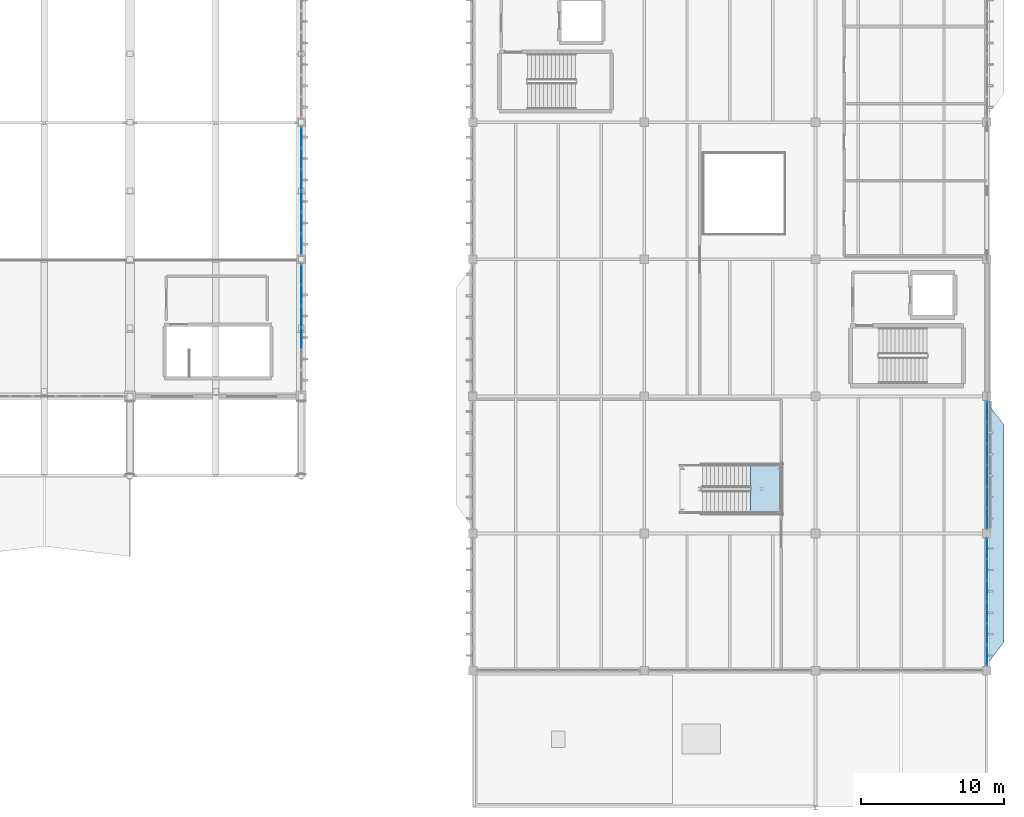
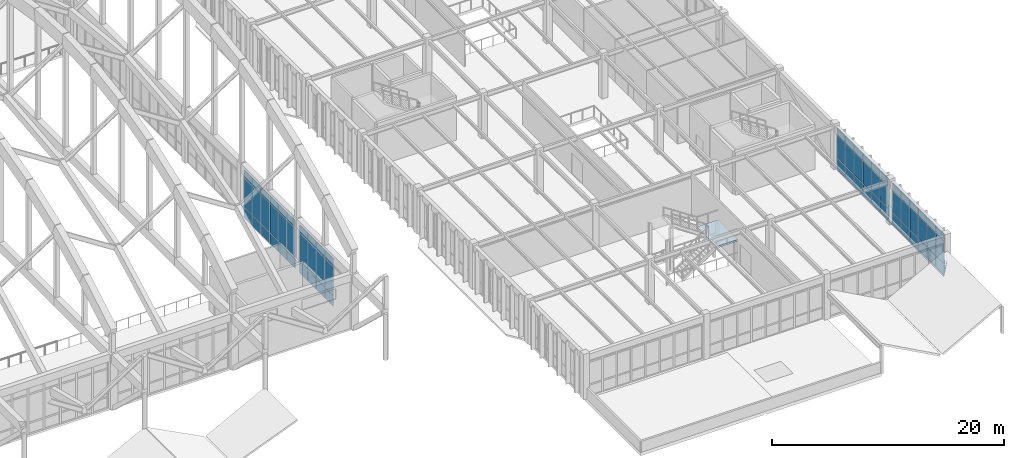
# One storey, part 201 of 236: 66 plates, 2 slabs, 5 elements without a shape of their own.
"""IFC4 building model written with IfcOpenShell, lengths in metres."""

from ifc_helpers import new_model, si_unit, direction, frame, origin, origin_2d, place, context, subcontext, project, spatial, polyline, rectangle, outline, extrude, material, layer, layer_set, type_object, element, aggregate, save


model = new_model("IFC4")

# Units and contexts
model_context = context("Model", 3, precision=1e-05, world=origin(), true_north=direction((0.0, 1.0)))
body_context = subcontext(model_context, "Body", "Model", "MODEL_VIEW")
ifc_project = project(units=[si_unit("LENGTHUNIT", "METRE"), si_unit("AREAUNIT", "SQUARE_METRE"), si_unit("VOLUMEUNIT", "CUBIC_METRE"), si_unit("PLANEANGLEUNIT", "RADIAN"), si_unit("MASSUNIT", "GRAM", prefix="KILO")], contexts=[model_context])

# Site, building, storey
site_placement = place(None, origin())
site = spatial("IfcSite", under=ifc_project, at=site_placement, CompositionType="ELEMENT")
building_placement = place(site_placement, origin())
building = spatial("IfcBuilding", under=site, at=building_placement, Name="Pandanus Reach Market Hall", CompositionType="ELEMENT")
storey_placement = place(building_placement, frame((0.0, 0.0, 5.39990234375)))
storey = spatial("IfcBuildingStorey", under=building, at=storey_placement, Name="L01", CompositionType="ELEMENT", Elevation=5.39990234375)

# Curtain wall, plates
ifc_material_1 = material(Name="Bronze anodised aluminium and low-E glass", Category="aluminium")
ifc_layer_1 = layer(ifc_material_1, 0.159912109375, Name="CW-28")
ifc_layer_set_1 = layer_set([ifc_layer_1], Name="Bronze anodised aluminium and low-E glass")
curtain_wall_type_1 = type_object("IfcCurtainWallType", Name="CW-28", PredefinedType="NOTDEFINED", material=ifc_layer_set_1)
curtain_wall_1_placement = place(storey_placement, origin())
curtain_wall_1 = element("IfcCurtainWall", 1, at=curtain_wall_1_placement, inside=storey, type_object=curtain_wall_type_1, Name="Glazed curtain wall CW-28 CW-0085", PredefinedType="NOTDEFINED")
ifc_material_2 = material(Name="Solar-control double glazing", Category="glass")
ifc_layer_2 = layer(ifc_material_2, 0.028076171875, Name="CW-P1")
ifc_layer_set_2 = layer_set([ifc_layer_2], Name="Solar-control double glazing")
plate_type_1 = type_object("IfcPlateType", Name="CW-P1", PredefinedType="CURTAIN_PANEL", material=ifc_layer_set_2)
plate_1_placement = place(storey_placement, frame((180.0, 10.666259765625, 0.065185546875), z_axis=(0.0, 0.0, 1.0), x_axis=(0.0, 1.0, 0.0)))
plate_1 = element("IfcPlate", 2, at=plate_1_placement, type_object=plate_type_1, Name="CW-28 panel 1.1", PredefinedType="CURTAIN_PANEL", context=body_context, shape_type="SweptSolid", body=[
    extrude(rectangle(XDim=1.402587890625, YDim=0.028076171875, at=origin_2d()), origin(), (0.0, 0.0, 1.0), 1.1025390625),
])
plate_2_placement = place(storey_placement, frame((180.0, 10.666259765625, 1.232666015625), z_axis=(0.0, 0.0, 1.0), x_axis=(0.0, 1.0, 0.0)))
plate_2 = element("IfcPlate", 3, at=plate_2_placement, type_object=plate_type_1, Name="CW-28 panel 1.2", PredefinedType="CURTAIN_PANEL", context=body_context, shape_type="SweptSolid", body=[
    extrude(rectangle(XDim=1.402587890625, YDim=0.028076171875, at=origin_2d()), origin(), (0.0, 0.0, 1.0), 2.3349609375),
])
plate_3_placement = place(storey_placement, frame((180.0, 10.666259765625, 3.6328125), z_axis=(0.0, 0.0, 1.0), x_axis=(0.0, 1.0, 0.0)))
plate_3 = element("IfcPlate", 4, at=plate_3_placement, type_object=plate_type_1, Name="CW-28 panel 1.3", PredefinedType="CURTAIN_PANEL", context=body_context, shape_type="SweptSolid", body=[
    extrude(rectangle(XDim=1.402587890625, YDim=0.028076171875, at=origin_2d()), origin(), (0.0, 0.0, 1.0), 0.802490234375),
])
plate_4_placement = place(storey_placement, frame((180.0, 12.14990234375, 0.065185546875), z_axis=(0.0, 0.0, 1.0), x_axis=(0.0, 1.0, 0.0)))
plate_4 = element("IfcPlate", 5, at=plate_4_placement, type_object=plate_type_1, Name="CW-28 panel 2.1", PredefinedType="CURTAIN_PANEL", context=body_context, shape_type="SweptSolid", body=[
    extrude(rectangle(XDim=1.43505859375, YDim=0.028076171875, at=origin_2d()), origin(), (0.0, 0.0, 1.0), 1.1025390625),
])
plate_5_placement = place(storey_placement, frame((180.0, 12.14990234375, 1.232666015625), z_axis=(0.0, 0.0, 1.0), x_axis=(0.0, 1.0, 0.0)))
plate_5 = element("IfcPlate", 6, at=plate_5_placement, type_object=plate_type_1, Name="CW-28 panel 2.2", PredefinedType="CURTAIN_PANEL", context=body_context, shape_type="SweptSolid", body=[
    extrude(rectangle(XDim=1.43505859375, YDim=0.028076171875, at=origin_2d()), origin(), (0.0, 0.0, 1.0), 2.3349609375),
])
plate_6_placement = place(storey_placement, frame((180.0, 12.14990234375, 3.6328125), z_axis=(0.0, 0.0, 1.0), x_axis=(0.0, 1.0, 0.0)))
plate_6 = element("IfcPlate", 7, at=plate_6_placement, type_object=plate_type_1, Name="CW-28 panel 2.3", PredefinedType="CURTAIN_PANEL", context=body_context, shape_type="SweptSolid", body=[
    extrude(rectangle(XDim=1.43505859375, YDim=0.028076171875, at=origin_2d()), origin(), (0.0, 0.0, 1.0), 0.802490234375),
])
plate_7_placement = place(storey_placement, frame((180.0, 13.64990234375, 0.065185546875), z_axis=(0.0, 0.0, 1.0), x_axis=(0.0, 1.0, 0.0)))
plate_7 = element("IfcPlate", 8, at=plate_7_placement, type_object=plate_type_1, Name="CW-28 panel 3.1", PredefinedType="CURTAIN_PANEL", context=body_context, shape_type="SweptSolid", body=[
    extrude(rectangle(XDim=1.43505859375, YDim=0.028076171875, at=origin_2d()), origin(), (0.0, 0.0, 1.0), 1.1025390625),
])
plate_8_placement = place(storey_placement, frame((180.0, 13.64990234375, 1.232666015625), z_axis=(0.0, 0.0, 1.0), x_axis=(0.0, 1.0, 0.0)))
plate_8 = element("IfcPlate", 9, at=plate_8_placement, type_object=plate_type_1, Name="CW-28 panel 3.2", PredefinedType="CURTAIN_PANEL", context=body_context, shape_type="SweptSolid", body=[
    extrude(rectangle(XDim=1.43505859375, YDim=0.028076171875, at=origin_2d()), origin(), (0.0, 0.0, 1.0), 2.3349609375),
])
plate_9_placement = place(storey_placement, frame((180.0, 13.64990234375, 3.6328125), z_axis=(0.0, 0.0, 1.0), x_axis=(0.0, 1.0, 0.0)))
plate_9 = element("IfcPlate", 10, at=plate_9_placement, type_object=plate_type_1, Name="CW-28 panel 3.3", PredefinedType="CURTAIN_PANEL", context=body_context, shape_type="SweptSolid", body=[
    extrude(rectangle(XDim=1.43505859375, YDim=0.028076171875, at=origin_2d()), origin(), (0.0, 0.0, 1.0), 0.802490234375),
])
plate_10_placement = place(storey_placement, frame((180.0, 15.14990234375, 0.065185546875), z_axis=(0.0, 0.0, 1.0), x_axis=(0.0, 1.0, 0.0)))
plate_10 = element("IfcPlate", 11, at=plate_10_placement, type_object=plate_type_1, Name="CW-28 panel 4.1", PredefinedType="CURTAIN_PANEL", context=body_context, shape_type="SweptSolid", body=[
    extrude(rectangle(XDim=1.43505859375, YDim=0.028076171875, at=origin_2d()), origin(), (0.0, 0.0, 1.0), 1.1025390625),
])
plate_11_placement = place(storey_placement, frame((180.0, 15.14990234375, 1.232666015625), z_axis=(0.0, 0.0, 1.0), x_axis=(0.0, 1.0, 0.0)))
plate_11 = element("IfcPlate", 12, at=plate_11_placement, type_object=plate_type_1, Name="CW-28 panel 4.2", PredefinedType="CURTAIN_PANEL", context=body_context, shape_type="SweptSolid", body=[
    extrude(rectangle(XDim=1.43505859375, YDim=0.028076171875, at=origin_2d()), origin(), (0.0, 0.0, 1.0), 2.3349609375),
])
plate_12_placement = place(storey_placement, frame((180.0, 15.14990234375, 3.6328125), z_axis=(0.0, 0.0, 1.0), x_axis=(0.0, 1.0, 0.0)))
plate_12 = element("IfcPlate", 13, at=plate_12_placement, type_object=plate_type_1, Name="CW-28 panel 4.3", PredefinedType="CURTAIN_PANEL", context=body_context, shape_type="SweptSolid", body=[
    extrude(rectangle(XDim=1.43505859375, YDim=0.028076171875, at=origin_2d()), origin(), (0.0, 0.0, 1.0), 0.802490234375),
])
plate_13_placement = place(storey_placement, frame((180.0, 16.64990234375, 0.065185546875), z_axis=(0.0, 0.0, 1.0), x_axis=(0.0, 1.0, 0.0)))
plate_13 = element("IfcPlate", 14, at=plate_13_placement, type_object=plate_type_1, Name="CW-28 panel 5.1", PredefinedType="CURTAIN_PANEL", context=body_context, shape_type="SweptSolid", body=[
    extrude(rectangle(XDim=1.43505859375, YDim=0.028076171875, at=origin_2d()), origin(), (0.0, 0.0, 1.0), 1.1025390625),
])
plate_14_placement = place(storey_placement, frame((180.0, 16.64990234375, 1.232666015625), z_axis=(0.0, 0.0, 1.0), x_axis=(0.0, 1.0, 0.0)))
plate_14 = element("IfcPlate", 15, at=plate_14_placement, type_object=plate_type_1, Name="CW-28 panel 5.2", PredefinedType="CURTAIN_PANEL", context=body_context, shape_type="SweptSolid", body=[
    extrude(rectangle(XDim=1.43505859375, YDim=0.028076171875, at=origin_2d()), origin(), (0.0, 0.0, 1.0), 2.3349609375),
])
plate_15_placement = place(storey_placement, frame((180.0, 16.64990234375, 3.6328125), z_axis=(0.0, 0.0, 1.0), x_axis=(0.0, 1.0, 0.0)))
plate_15 = element("IfcPlate", 16, at=plate_15_placement, type_object=plate_type_1, Name="CW-28 panel 5.3", PredefinedType="CURTAIN_PANEL", context=body_context, shape_type="SweptSolid", body=[
    extrude(rectangle(XDim=1.43505859375, YDim=0.028076171875, at=origin_2d()), origin(), (0.0, 0.0, 1.0), 0.802490234375),
])
plate_16_placement = place(storey_placement, frame((180.0, 18.1337890625, 0.065185546875), z_axis=(0.0, 0.0, 1.0), x_axis=(0.0, 1.0, 0.0)))
plate_16 = element("IfcPlate", 17, at=plate_16_placement, type_object=plate_type_1, Name="CW-28 panel 6.1", PredefinedType="CURTAIN_PANEL", context=body_context, shape_type="SweptSolid", body=[
    extrude(rectangle(XDim=1.402587890625, YDim=0.028076171875, at=origin_2d()), origin(), (0.0, 0.0, 1.0), 1.1025390625),
])
plate_17_placement = place(storey_placement, frame((180.0, 18.1337890625, 1.232666015625), z_axis=(0.0, 0.0, 1.0), x_axis=(0.0, 1.0, 0.0)))
plate_17 = element("IfcPlate", 18, at=plate_17_placement, type_object=plate_type_1, Name="CW-28 panel 6.2", PredefinedType="CURTAIN_PANEL", context=body_context, shape_type="SweptSolid", body=[
    extrude(rectangle(XDim=1.402587890625, YDim=0.028076171875, at=origin_2d()), origin(), (0.0, 0.0, 1.0), 2.3349609375),
])
plate_18_placement = place(storey_placement, frame((180.0, 18.1337890625, 3.6328125), z_axis=(0.0, 0.0, 1.0), x_axis=(0.0, 1.0, 0.0)))
plate_18 = element("IfcPlate", 19, at=plate_18_placement, type_object=plate_type_1, Name="CW-28 panel 6.3", PredefinedType="CURTAIN_PANEL", context=body_context, shape_type="SweptSolid", body=[
    extrude(rectangle(XDim=1.402587890625, YDim=0.028076171875, at=origin_2d()), origin(), (0.0, 0.0, 1.0), 0.802490234375),
])
aggregate(curtain_wall_1, [plate_1, plate_2, plate_3, plate_4, plate_5, plate_6, plate_7, plate_8, plate_9, plate_10, plate_11, plate_12, plate_13, plate_14, plate_15, plate_16, plate_17, plate_18])

curtain_wall_2_placement = place(storey_placement, origin())
curtain_wall_2 = element("IfcCurtainWall", 20, at=curtain_wall_2_placement, inside=storey, type_object=curtain_wall_type_1, Name="Glazed curtain wall CW-28 CW-0086", PredefinedType="NOTDEFINED")
plate_19_placement = place(storey_placement, frame((180.0, 20.266357421875, 0.065185546875), z_axis=(0.0, 0.0, 1.0), x_axis=(0.0, 1.0, 0.0)))
plate_19 = element("IfcPlate", 21, at=plate_19_placement, type_object=plate_type_1, Name="CW-28 panel 1.1", PredefinedType="CURTAIN_PANEL", context=body_context, shape_type="SweptSolid", body=[
    extrude(rectangle(XDim=1.402587890625, YDim=0.028076171875, at=origin_2d()), origin(), (0.0, 0.0, 1.0), 1.1025390625),
])
plate_20_placement = place(storey_placement, frame((180.0, 20.266357421875, 1.232666015625), z_axis=(0.0, 0.0, 1.0), x_axis=(0.0, 1.0, 0.0)))
plate_20 = element("IfcPlate", 22, at=plate_20_placement, type_object=plate_type_1, Name="CW-28 panel 1.2", PredefinedType="CURTAIN_PANEL", context=body_context, shape_type="SweptSolid", body=[
    extrude(rectangle(XDim=1.402587890625, YDim=0.028076171875, at=origin_2d()), origin(), (0.0, 0.0, 1.0), 2.3349609375),
])
plate_21_placement = place(storey_placement, frame((180.0, 20.266357421875, 3.6328125), z_axis=(0.0, 0.0, 1.0), x_axis=(0.0, 1.0, 0.0)))
plate_21 = element("IfcPlate", 23, at=plate_21_placement, type_object=plate_type_1, Name="CW-28 panel 1.3", PredefinedType="CURTAIN_PANEL", context=body_context, shape_type="SweptSolid", body=[
    extrude(rectangle(XDim=1.402587890625, YDim=0.028076171875, at=origin_2d()), origin(), (0.0, 0.0, 1.0), 0.802490234375),
])
plate_22_placement = place(storey_placement, frame((180.0, 21.75, 0.065185546875), z_axis=(0.0, 0.0, 1.0), x_axis=(0.0, 1.0, 0.0)))
plate_22 = element("IfcPlate", 24, at=plate_22_placement, type_object=plate_type_1, Name="CW-28 panel 2.1", PredefinedType="CURTAIN_PANEL", context=body_context, shape_type="SweptSolid", body=[
    extrude(rectangle(XDim=1.43505859375, YDim=0.028076171875, at=origin_2d()), origin(), (0.0, 0.0, 1.0), 1.1025390625),
])
plate_23_placement = place(storey_placement, frame((180.0, 21.75, 1.232666015625), z_axis=(0.0, 0.0, 1.0), x_axis=(0.0, 1.0, 0.0)))
plate_23 = element("IfcPlate", 25, at=plate_23_placement, type_object=plate_type_1, Name="CW-28 panel 2.2", PredefinedType="CURTAIN_PANEL", context=body_context, shape_type="SweptSolid", body=[
    extrude(rectangle(XDim=1.43505859375, YDim=0.028076171875, at=origin_2d()), origin(), (0.0, 0.0, 1.0), 2.3349609375),
])
plate_24_placement = place(storey_placement, frame((180.0, 21.75, 3.6328125), z_axis=(0.0, 0.0, 1.0), x_axis=(0.0, 1.0, 0.0)))
plate_24 = element("IfcPlate", 26, at=plate_24_placement, type_object=plate_type_1, Name="CW-28 panel 2.3", PredefinedType="CURTAIN_PANEL", context=body_context, shape_type="SweptSolid", body=[
    extrude(rectangle(XDim=1.43505859375, YDim=0.028076171875, at=origin_2d()), origin(), (0.0, 0.0, 1.0), 0.802490234375),
])
plate_25_placement = place(storey_placement, frame((180.0, 23.25, 0.065185546875), z_axis=(0.0, 0.0, 1.0), x_axis=(0.0, 1.0, 0.0)))
plate_25 = element("IfcPlate", 27, at=plate_25_placement, type_object=plate_type_1, Name="CW-28 panel 3.1", PredefinedType="CURTAIN_PANEL", context=body_context, shape_type="SweptSolid", body=[
    extrude(rectangle(XDim=1.43505859375, YDim=0.028076171875, at=origin_2d()), origin(), (0.0, 0.0, 1.0), 1.1025390625),
])
plate_26_placement = place(storey_placement, frame((180.0, 23.25, 1.232666015625), z_axis=(0.0, 0.0, 1.0), x_axis=(0.0, 1.0, 0.0)))
plate_26 = element("IfcPlate", 28, at=plate_26_placement, type_object=plate_type_1, Name="CW-28 panel 3.2", PredefinedType="CURTAIN_PANEL", context=body_context, shape_type="SweptSolid", body=[
    extrude(rectangle(XDim=1.43505859375, YDim=0.028076171875, at=origin_2d()), origin(), (0.0, 0.0, 1.0), 2.3349609375),
])
plate_27_placement = place(storey_placement, frame((180.0, 23.25, 3.6328125), z_axis=(0.0, 0.0, 1.0), x_axis=(0.0, 1.0, 0.0)))
plate_27 = element("IfcPlate", 29, at=plate_27_placement, type_object=plate_type_1, Name="CW-28 panel 3.3", PredefinedType="CURTAIN_PANEL", context=body_context, shape_type="SweptSolid", body=[
    extrude(rectangle(XDim=1.43505859375, YDim=0.028076171875, at=origin_2d()), origin(), (0.0, 0.0, 1.0), 0.802490234375),
])
plate_28_placement = place(storey_placement, frame((180.0, 24.75, 0.065185546875), z_axis=(0.0, 0.0, 1.0), x_axis=(0.0, 1.0, 0.0)))
plate_28 = element("IfcPlate", 30, at=plate_28_placement, type_object=plate_type_1, Name="CW-28 panel 4.1", PredefinedType="CURTAIN_PANEL", context=body_context, shape_type="SweptSolid", body=[
    extrude(rectangle(XDim=1.43505859375, YDim=0.028076171875, at=origin_2d()), origin(), (0.0, 0.0, 1.0), 1.1025390625),
])
plate_29_placement = place(storey_placement, frame((180.0, 24.75, 1.232666015625), z_axis=(0.0, 0.0, 1.0), x_axis=(0.0, 1.0, 0.0)))
plate_29 = element("IfcPlate", 31, at=plate_29_placement, type_object=plate_type_1, Name="CW-28 panel 4.2", PredefinedType="CURTAIN_PANEL", context=body_context, shape_type="SweptSolid", body=[
    extrude(rectangle(XDim=1.43505859375, YDim=0.028076171875, at=origin_2d()), origin(), (0.0, 0.0, 1.0), 2.3349609375),
])
plate_30_placement = place(storey_placement, frame((180.0, 24.75, 3.6328125), z_axis=(0.0, 0.0, 1.0), x_axis=(0.0, 1.0, 0.0)))
plate_30 = element("IfcPlate", 32, at=plate_30_placement, type_object=plate_type_1, Name="CW-28 panel 4.3", PredefinedType="CURTAIN_PANEL", context=body_context, shape_type="SweptSolid", body=[
    extrude(rectangle(XDim=1.43505859375, YDim=0.028076171875, at=origin_2d()), origin(), (0.0, 0.0, 1.0), 0.802490234375),
])
plate_31_placement = place(storey_placement, frame((180.0, 26.25, 0.065185546875), z_axis=(0.0, 0.0, 1.0), x_axis=(0.0, 1.0, 0.0)))
plate_31 = element("IfcPlate", 33, at=plate_31_placement, type_object=plate_type_1, Name="CW-28 panel 5.1", PredefinedType="CURTAIN_PANEL", context=body_context, shape_type="SweptSolid", body=[
    extrude(rectangle(XDim=1.43505859375, YDim=0.028076171875, at=origin_2d()), origin(), (0.0, 0.0, 1.0), 1.1025390625),
])
plate_32_placement = place(storey_placement, frame((180.0, 26.25, 1.232666015625), z_axis=(0.0, 0.0, 1.0), x_axis=(0.0, 1.0, 0.0)))
plate_32 = element("IfcPlate", 34, at=plate_32_placement, type_object=plate_type_1, Name="CW-28 panel 5.2", PredefinedType="CURTAIN_PANEL", context=body_context, shape_type="SweptSolid", body=[
    extrude(rectangle(XDim=1.43505859375, YDim=0.028076171875, at=origin_2d()), origin(), (0.0, 0.0, 1.0), 2.3349609375),
])
plate_33_placement = place(storey_placement, frame((180.0, 26.25, 3.6328125), z_axis=(0.0, 0.0, 1.0), x_axis=(0.0, 1.0, 0.0)))
plate_33 = element("IfcPlate", 35, at=plate_33_placement, type_object=plate_type_1, Name="CW-28 panel 5.3", PredefinedType="CURTAIN_PANEL", context=body_context, shape_type="SweptSolid", body=[
    extrude(rectangle(XDim=1.43505859375, YDim=0.028076171875, at=origin_2d()), origin(), (0.0, 0.0, 1.0), 0.802490234375),
])
plate_34_placement = place(storey_placement, frame((180.0, 27.733642578125, 0.065185546875), z_axis=(0.0, 0.0, 1.0), x_axis=(0.0, 1.0, 0.0)))
plate_34 = element("IfcPlate", 36, at=plate_34_placement, type_object=plate_type_1, Name="CW-28 panel 6.1", PredefinedType="CURTAIN_PANEL", context=body_context, shape_type="SweptSolid", body=[
    extrude(rectangle(XDim=1.402587890625, YDim=0.028076171875, at=origin_2d()), origin(), (0.0, 0.0, 1.0), 1.1025390625),
])
plate_35_placement = place(storey_placement, frame((180.0, 27.733642578125, 1.232666015625), z_axis=(0.0, 0.0, 1.0), x_axis=(0.0, 1.0, 0.0)))
plate_35 = element("IfcPlate", 37, at=plate_35_placement, type_object=plate_type_1, Name="CW-28 panel 6.2", PredefinedType="CURTAIN_PANEL", context=body_context, shape_type="SweptSolid", body=[
    extrude(rectangle(XDim=1.402587890625, YDim=0.028076171875, at=origin_2d()), origin(), (0.0, 0.0, 1.0), 2.3349609375),
])
plate_36_placement = place(storey_placement, frame((180.0, 27.733642578125, 3.6328125), z_axis=(0.0, 0.0, 1.0), x_axis=(0.0, 1.0, 0.0)))
plate_36 = element("IfcPlate", 38, at=plate_36_placement, type_object=plate_type_1, Name="CW-28 panel 6.3", PredefinedType="CURTAIN_PANEL", context=body_context, shape_type="SweptSolid", body=[
    extrude(rectangle(XDim=1.402587890625, YDim=0.028076171875, at=origin_2d()), origin(), (0.0, 0.0, 1.0), 0.802490234375),
])
aggregate(curtain_wall_2, [plate_19, plate_20, plate_21, plate_22, plate_23, plate_24, plate_25, plate_26, plate_27, plate_28, plate_29, plate_30, plate_31, plate_32, plate_33, plate_34, plate_35, plate_36])

ifc_layer_3 = layer(ifc_material_1, 0.199951171875, Name="CW-04")
ifc_layer_set_3 = layer_set([ifc_layer_3], Name="Bronze anodised aluminium and low-E glass")
curtain_wall_type_2 = type_object("IfcCurtainWallType", Name="CW-04", PredefinedType="NOTDEFINED", material=ifc_layer_set_3)
curtain_wall_3_placement = place(storey_placement, origin())
curtain_wall_3 = element("IfcCurtainWall", 39, at=curtain_wall_3_placement, inside=storey, type_object=curtain_wall_type_2, Name="Glazed curtain wall CW-04 CW-0021", PredefinedType="NOTDEFINED")
ifc_material_3 = material(Name="Acoustic laminated solar double glazing", Category="glass")
ifc_layer_4 = layer(ifc_material_3, 0.031982421875, Name="CW-P2")
ifc_layer_set_4 = layer_set([ifc_layer_4], Name="Acoustic laminated solar double glazing")
plate_type_2 = type_object("IfcPlateType", Name="CW-P2", PredefinedType="CURTAIN_PANEL", material=ifc_layer_set_4)
plate_37_placement = place(storey_placement, frame((132.0, 32.893798828125, 0.0751953125), z_axis=(0.0, 0.0, 1.0), x_axis=(0.0, 1.0, 0.0)))
plate_37 = element("IfcPlate", 40, at=plate_37_placement, type_object=plate_type_2, Name="CW-04 panel 3.1", PredefinedType="CURTAIN_PANEL", context=body_context, shape_type="SweptSolid", body=[
    extrude(rectangle(XDim=1.41259765625, YDim=0.031982421875, at=origin_2d()), origin(), (0.0, 0.0, 1.0), 1.08740234375),
])
plate_38_placement = place(storey_placement, frame((132.0, 32.893798828125, 1.237548828125), z_axis=(0.0, 0.0, 1.0), x_axis=(0.0, 1.0, 0.0)))
plate_38 = element("IfcPlate", 41, at=plate_38_placement, type_object=plate_type_2, Name="CW-04 panel 3.2", PredefinedType="CURTAIN_PANEL", context=body_context, shape_type="SweptSolid", body=[
    extrude(rectangle(XDim=1.41259765625, YDim=0.031982421875, at=origin_2d()), origin(), (0.0, 0.0, 1.0), 3.02490234375),
])
plate_39_placement = place(storey_placement, frame((132.0, 32.893798828125, 4.337646484375), z_axis=(0.0, 0.0, 1.0), x_axis=(0.0, 1.0, 0.0)))
plate_39 = element("IfcPlate", 42, at=plate_39_placement, type_object=plate_type_2, Name="CW-04 panel 3.3", PredefinedType="CURTAIN_PANEL", context=body_context, shape_type="SweptSolid", body=[
    extrude(rectangle(XDim=1.41259765625, YDim=0.031982421875, at=origin_2d()), origin(), (0.0, 0.0, 1.0), 0.78759765625),
])
plate_40_placement = place(storey_placement, frame((132.0, 34.38134765625, 0.0751953125), z_axis=(0.0, 0.0, 1.0), x_axis=(0.0, 1.0, 0.0)))
plate_40 = element("IfcPlate", 43, at=plate_40_placement, type_object=plate_type_2, Name="CW-04 panel 4.1", PredefinedType="CURTAIN_PANEL", context=body_context, shape_type="SweptSolid", body=[
    extrude(rectangle(XDim=1.41259765625, YDim=0.031982421875, at=origin_2d()), origin(), (0.0, 0.0, 1.0), 1.08740234375),
])
plate_41_placement = place(storey_placement, frame((132.0, 34.38134765625, 1.237548828125), z_axis=(0.0, 0.0, 1.0), x_axis=(0.0, 1.0, 0.0)))
plate_41 = element("IfcPlate", 44, at=plate_41_placement, type_object=plate_type_2, Name="CW-04 panel 4.2", PredefinedType="CURTAIN_PANEL", context=body_context, shape_type="SweptSolid", body=[
    extrude(rectangle(XDim=1.41259765625, YDim=0.031982421875, at=origin_2d()), origin(), (0.0, 0.0, 1.0), 3.02490234375),
])
plate_42_placement = place(storey_placement, frame((132.0, 34.38134765625, 4.337646484375), z_axis=(0.0, 0.0, 1.0), x_axis=(0.0, 1.0, 0.0)))
plate_42 = element("IfcPlate", 45, at=plate_42_placement, type_object=plate_type_2, Name="CW-04 panel 4.3", PredefinedType="CURTAIN_PANEL", context=body_context, shape_type="SweptSolid", body=[
    extrude(rectangle(XDim=1.41259765625, YDim=0.031982421875, at=origin_2d()), origin(), (0.0, 0.0, 1.0), 0.78759765625),
])
plate_43_placement = place(storey_placement, frame((132.0, 35.86865234375, 0.0751953125), z_axis=(0.0, 0.0, 1.0), x_axis=(0.0, 1.0, 0.0)))
plate_43 = element("IfcPlate", 46, at=plate_43_placement, type_object=plate_type_2, Name="CW-04 panel 5.1", PredefinedType="CURTAIN_PANEL", context=body_context, shape_type="SweptSolid", body=[
    extrude(rectangle(XDim=1.41259765625, YDim=0.031982421875, at=origin_2d()), origin(), (0.0, 0.0, 1.0), 1.08740234375),
])
plate_44_placement = place(storey_placement, frame((132.0, 35.86865234375, 1.237548828125), z_axis=(0.0, 0.0, 1.0), x_axis=(0.0, 1.0, 0.0)))
plate_44 = element("IfcPlate", 47, at=plate_44_placement, type_object=plate_type_2, Name="CW-04 panel 5.2", PredefinedType="CURTAIN_PANEL", context=body_context, shape_type="SweptSolid", body=[
    extrude(rectangle(XDim=1.41259765625, YDim=0.031982421875, at=origin_2d()), origin(), (0.0, 0.0, 1.0), 3.02490234375),
])
plate_45_placement = place(storey_placement, frame((132.0, 35.86865234375, 4.337646484375), z_axis=(0.0, 0.0, 1.0), x_axis=(0.0, 1.0, 0.0)))
plate_45 = element("IfcPlate", 48, at=plate_45_placement, type_object=plate_type_2, Name="CW-04 panel 5.3", PredefinedType="CURTAIN_PANEL", context=body_context, shape_type="SweptSolid", body=[
    extrude(rectangle(XDim=1.41259765625, YDim=0.031982421875, at=origin_2d()), origin(), (0.0, 0.0, 1.0), 0.78759765625),
])
plate_46_placement = place(storey_placement, frame((132.0, 37.33740234375, 0.0751953125), z_axis=(0.0, 0.0, 1.0), x_axis=(0.0, 1.0, 0.0)))
plate_46 = element("IfcPlate", 49, at=plate_46_placement, type_object=plate_type_2, Name="CW-04 panel 6.1", PredefinedType="CURTAIN_PANEL", context=body_context, shape_type="SweptSolid", body=[
    extrude(rectangle(XDim=1.375, YDim=0.031982421875, at=origin_2d()), origin(), (0.0, 0.0, 1.0), 1.08740234375),
])
plate_47_placement = place(storey_placement, frame((132.0, 37.33740234375, 1.237548828125), z_axis=(0.0, 0.0, 1.0), x_axis=(0.0, 1.0, 0.0)))
plate_47 = element("IfcPlate", 50, at=plate_47_placement, type_object=plate_type_2, Name="CW-04 panel 6.2", PredefinedType="CURTAIN_PANEL", context=body_context, shape_type="SweptSolid", body=[
    extrude(rectangle(XDim=1.375, YDim=0.031982421875, at=origin_2d()), origin(), (0.0, 0.0, 1.0), 3.02490234375),
])
plate_48_placement = place(storey_placement, frame((132.0, 37.33740234375, 4.337646484375), z_axis=(0.0, 0.0, 1.0), x_axis=(0.0, 1.0, 0.0)))
plate_48 = element("IfcPlate", 51, at=plate_48_placement, type_object=plate_type_2, Name="CW-04 panel 6.3", PredefinedType="CURTAIN_PANEL", context=body_context, shape_type="SweptSolid", body=[
    extrude(rectangle(XDim=1.375, YDim=0.031982421875, at=origin_2d()), origin(), (0.0, 0.0, 1.0), 0.78759765625),
])
aggregate(curtain_wall_3, [plate_37, plate_38, plate_39, plate_40, plate_41, plate_42, plate_43, plate_44, plate_45, plate_46, plate_47, plate_48])

ifc_layer_5 = layer(ifc_material_1, 0.199951171875, Name="CW-05")
ifc_layer_set_5 = layer_set([ifc_layer_5], Name="Bronze anodised aluminium and low-E glass")
curtain_wall_type_3 = type_object("IfcCurtainWallType", Name="CW-05", PredefinedType="NOTDEFINED", material=ifc_layer_set_5)
curtain_wall_4_placement = place(storey_placement, origin())
curtain_wall_4 = element("IfcCurtainWall", 52, at=curtain_wall_4_placement, inside=storey, type_object=curtain_wall_type_3, Name="Glazed curtain wall CW-05 CW-0023", PredefinedType="NOTDEFINED")
plate_49_placement = place(storey_placement, frame((132.0, 39.46875, 0.0751953125), z_axis=(0.0, 0.0, 1.0), x_axis=(0.0, 1.0, 0.0)))
plate_49 = element("IfcPlate", 53, at=plate_49_placement, type_object=plate_type_2, Name="CW-05 panel 1.1", PredefinedType="CURTAIN_PANEL", context=body_context, shape_type="SweptSolid", body=[
    extrude(rectangle(XDim=1.387451171875, YDim=0.031982421875, at=origin_2d()), origin(), (0.0, 0.0, 1.0), 1.08740234375),
])
plate_50_placement = place(storey_placement, frame((132.0, 39.46875, 1.237548828125), z_axis=(0.0, 0.0, 1.0), x_axis=(0.0, 1.0, 0.0)))
plate_50 = element("IfcPlate", 54, at=plate_50_placement, type_object=plate_type_2, Name="CW-05 panel 1.2", PredefinedType="CURTAIN_PANEL", context=body_context, shape_type="SweptSolid", body=[
    extrude(rectangle(XDim=1.387451171875, YDim=0.031982421875, at=origin_2d()), origin(), (0.0, 0.0, 1.0), 3.02490234375),
])
plate_51_placement = place(storey_placement, frame((132.0, 39.46875, 4.337646484375), z_axis=(0.0, 0.0, 1.0), x_axis=(0.0, 1.0, 0.0)))
plate_51 = element("IfcPlate", 55, at=plate_51_placement, type_object=plate_type_2, Name="CW-05 panel 1.3", PredefinedType="CURTAIN_PANEL", context=body_context, shape_type="SweptSolid", body=[
    extrude(rectangle(XDim=1.387451171875, YDim=0.031982421875, at=origin_2d()), origin(), (0.0, 0.0, 1.0), 0.78759765625),
])
plate_52_placement = place(storey_placement, frame((132.0, 40.949951171875, 0.0751953125), z_axis=(0.0, 0.0, 1.0), x_axis=(0.0, 1.0, 0.0)))
plate_52 = element("IfcPlate", 56, at=plate_52_placement, type_object=plate_type_2, Name="CW-05 panel 2.1", PredefinedType="CURTAIN_PANEL", context=body_context, shape_type="SweptSolid", body=[
    extrude(rectangle(XDim=1.425048828125, YDim=0.031982421875, at=origin_2d()), origin(), (0.0, 0.0, 1.0), 1.08740234375),
])
plate_53_placement = place(storey_placement, frame((132.0, 40.949951171875, 1.237548828125), z_axis=(0.0, 0.0, 1.0), x_axis=(0.0, 1.0, 0.0)))
plate_53 = element("IfcPlate", 57, at=plate_53_placement, type_object=plate_type_2, Name="CW-05 panel 2.2", PredefinedType="CURTAIN_PANEL", context=body_context, shape_type="SweptSolid", body=[
    extrude(rectangle(XDim=1.425048828125, YDim=0.031982421875, at=origin_2d()), origin(), (0.0, 0.0, 1.0), 3.02490234375),
])
plate_54_placement = place(storey_placement, frame((132.0, 40.949951171875, 4.337646484375), z_axis=(0.0, 0.0, 1.0), x_axis=(0.0, 1.0, 0.0)))
plate_54 = element("IfcPlate", 58, at=plate_54_placement, type_object=plate_type_2, Name="CW-05 panel 2.3", PredefinedType="CURTAIN_PANEL", context=body_context, shape_type="SweptSolid", body=[
    extrude(rectangle(XDim=1.425048828125, YDim=0.031982421875, at=origin_2d()), origin(), (0.0, 0.0, 1.0), 0.78759765625),
])
plate_55_placement = place(storey_placement, frame((132.0, 42.449951171875, 0.0751953125), z_axis=(0.0, 0.0, 1.0), x_axis=(0.0, 1.0, 0.0)))
plate_55 = element("IfcPlate", 59, at=plate_55_placement, type_object=plate_type_2, Name="CW-05 panel 3.1", PredefinedType="CURTAIN_PANEL", context=body_context, shape_type="SweptSolid", body=[
    extrude(rectangle(XDim=1.425048828125, YDim=0.031982421875, at=origin_2d()), origin(), (0.0, 0.0, 1.0), 1.08740234375),
])
plate_56_placement = place(storey_placement, frame((132.0, 42.449951171875, 1.237548828125), z_axis=(0.0, 0.0, 1.0), x_axis=(0.0, 1.0, 0.0)))
plate_56 = element("IfcPlate", 60, at=plate_56_placement, type_object=plate_type_2, Name="CW-05 panel 3.2", PredefinedType="CURTAIN_PANEL", context=body_context, shape_type="SweptSolid", body=[
    extrude(rectangle(XDim=1.425048828125, YDim=0.031982421875, at=origin_2d()), origin(), (0.0, 0.0, 1.0), 3.02490234375),
])
plate_57_placement = place(storey_placement, frame((132.0, 42.449951171875, 4.337646484375), z_axis=(0.0, 0.0, 1.0), x_axis=(0.0, 1.0, 0.0)))
plate_57 = element("IfcPlate", 61, at=plate_57_placement, type_object=plate_type_2, Name="CW-05 panel 3.3", PredefinedType="CURTAIN_PANEL", context=body_context, shape_type="SweptSolid", body=[
    extrude(rectangle(XDim=1.425048828125, YDim=0.031982421875, at=origin_2d()), origin(), (0.0, 0.0, 1.0), 0.78759765625),
])
plate_58_placement = place(storey_placement, frame((132.0, 43.949951171875, 0.0751953125), z_axis=(0.0, 0.0, 1.0), x_axis=(0.0, 1.0, 0.0)))
plate_58 = element("IfcPlate", 62, at=plate_58_placement, type_object=plate_type_2, Name="CW-05 panel 4.1", PredefinedType="CURTAIN_PANEL", context=body_context, shape_type="SweptSolid", body=[
    extrude(rectangle(XDim=1.425048828125, YDim=0.031982421875, at=origin_2d()), origin(), (0.0, 0.0, 1.0), 1.08740234375),
])
plate_59_placement = place(storey_placement, frame((132.0, 43.949951171875, 1.237548828125), z_axis=(0.0, 0.0, 1.0), x_axis=(0.0, 1.0, 0.0)))
plate_59 = element("IfcPlate", 63, at=plate_59_placement, type_object=plate_type_2, Name="CW-05 panel 4.2", PredefinedType="CURTAIN_PANEL", context=body_context, shape_type="SweptSolid", body=[
    extrude(rectangle(XDim=1.425048828125, YDim=0.031982421875, at=origin_2d()), origin(), (0.0, 0.0, 1.0), 3.02490234375),
])
plate_60_placement = place(storey_placement, frame((132.0, 43.949951171875, 4.337646484375), z_axis=(0.0, 0.0, 1.0), x_axis=(0.0, 1.0, 0.0)))
plate_60 = element("IfcPlate", 64, at=plate_60_placement, type_object=plate_type_2, Name="CW-05 panel 4.3", PredefinedType="CURTAIN_PANEL", context=body_context, shape_type="SweptSolid", body=[
    extrude(rectangle(XDim=1.425048828125, YDim=0.031982421875, at=origin_2d()), origin(), (0.0, 0.0, 1.0), 0.78759765625),
])
plate_61_placement = place(storey_placement, frame((132.0, 45.449951171875, 0.0751953125), z_axis=(0.0, 0.0, 1.0), x_axis=(0.0, 1.0, 0.0)))
plate_61 = element("IfcPlate", 65, at=plate_61_placement, type_object=plate_type_2, Name="CW-05 panel 5.1", PredefinedType="CURTAIN_PANEL", context=body_context, shape_type="SweptSolid", body=[
    extrude(rectangle(XDim=1.425048828125, YDim=0.031982421875, at=origin_2d()), origin(), (0.0, 0.0, 1.0), 1.08740234375),
])
plate_62_placement = place(storey_placement, frame((132.0, 45.449951171875, 1.237548828125), z_axis=(0.0, 0.0, 1.0), x_axis=(0.0, 1.0, 0.0)))
plate_62 = element("IfcPlate", 66, at=plate_62_placement, type_object=plate_type_2, Name="CW-05 panel 5.2", PredefinedType="CURTAIN_PANEL", context=body_context, shape_type="SweptSolid", body=[
    extrude(rectangle(XDim=1.425048828125, YDim=0.031982421875, at=origin_2d()), origin(), (0.0, 0.0, 1.0), 3.02490234375),
])
plate_63_placement = place(storey_placement, frame((132.0, 45.449951171875, 4.337646484375), z_axis=(0.0, 0.0, 1.0), x_axis=(0.0, 1.0, 0.0)))
plate_63 = element("IfcPlate", 67, at=plate_63_placement, type_object=plate_type_2, Name="CW-05 panel 5.3", PredefinedType="CURTAIN_PANEL", context=body_context, shape_type="SweptSolid", body=[
    extrude(rectangle(XDim=1.425048828125, YDim=0.031982421875, at=origin_2d()), origin(), (0.0, 0.0, 1.0), 0.78759765625),
])
plate_64_placement = place(storey_placement, frame((132.0, 46.93115234375, 0.0751953125), z_axis=(0.0, 0.0, 1.0), x_axis=(0.0, 1.0, 0.0)))
plate_64 = element("IfcPlate", 68, at=plate_64_placement, type_object=plate_type_2, Name="CW-05 panel 6.1", PredefinedType="CURTAIN_PANEL", context=body_context, shape_type="SweptSolid", body=[
    extrude(rectangle(XDim=1.387451171875, YDim=0.031982421875, at=origin_2d()), origin(), (0.0, 0.0, 1.0), 1.08740234375),
])
plate_65_placement = place(storey_placement, frame((132.0, 46.93115234375, 1.237548828125), z_axis=(0.0, 0.0, 1.0), x_axis=(0.0, 1.0, 0.0)))
plate_65 = element("IfcPlate", 69, at=plate_65_placement, type_object=plate_type_2, Name="CW-05 panel 6.2", PredefinedType="CURTAIN_PANEL", context=body_context, shape_type="SweptSolid", body=[
    extrude(rectangle(XDim=1.387451171875, YDim=0.031982421875, at=origin_2d()), origin(), (0.0, 0.0, 1.0), 3.02490234375),
])
plate_66_placement = place(storey_placement, frame((132.0, 46.93115234375, 4.337646484375), z_axis=(0.0, 0.0, 1.0), x_axis=(0.0, 1.0, 0.0)))
plate_66 = element("IfcPlate", 70, at=plate_66_placement, type_object=plate_type_2, Name="CW-05 panel 6.3", PredefinedType="CURTAIN_PANEL", context=body_context, shape_type="SweptSolid", body=[
    extrude(rectangle(XDim=1.387451171875, YDim=0.031982421875, at=origin_2d()), origin(), (0.0, 0.0, 1.0), 0.78759765625),
])
aggregate(curtain_wall_4, [plate_49, plate_50, plate_51, plate_52, plate_53, plate_54, plate_55, plate_56, plate_57, plate_58, plate_59, plate_60, plate_61, plate_62, plate_63, plate_64, plate_65, plate_66])

# Slab
ifc_material_4 = material(Name="Concrete N50 (50 MPa)", Category="concrete")
ifc_layer_6 = layer(ifc_material_4, 0.179931640625, Name="RF-CNP-180")
ifc_layer_set_6 = layer_set([ifc_layer_6], Name="Concrete N50 (50 MPa)")
slab_type_1 = type_object("IfcSlabType", Name="RF-CNP-180", PredefinedType="ROOF", material=ifc_layer_set_6)
slab_1_placement = place(storey_placement, frame((0.0, 0.0, -0.179931640625)))
element("IfcSlab", 71, at=slab_1_placement, inside=storey, type_object=slab_type_1, Name="Sculpted concrete brise-soleil hood 8", PredefinedType="ROOF", context=body_context, shape_type="SweptSolid", body=[
    extrude(outline(polyline([(180.0, 10.0), (180.0, 28.39990234375), (181.199951171875, 26.800048828125), (181.199951171875, 11.60009765625), (180.0, 10.0)])), origin(), (0.0, 0.0, 1.0), 0.179931640625),
])

# Stair, slab
ifc_material_5 = material(Name="Concrete N40 (40 MPa)", Category="concrete")
stair_type = type_object("IfcStairType", Name="STR-10", PredefinedType="HALF_TURN_STAIR", material=ifc_material_5)
stair_placement = place(storey_placement, origin())
stair = element("IfcStair", 72, at=stair_placement, inside=storey, type_object=stair_type, Name="Stair ST-11 L01", PredefinedType="HALF_TURN_STAIR")
ifc_layer_7 = layer(ifc_material_5, 0.199951171875, Name="SL-LND-200")
ifc_layer_set_7 = layer_set([ifc_layer_7], Name="Concrete N40 (40 MPa)")
slab_type_2 = type_object("IfcSlabType", Name="SL-LND-200", PredefinedType="LANDING", material=ifc_layer_set_7)
slab_2_placement = place(storey_placement, frame((0.0, 0.0, 2.2001953125)))
slab_2 = element("IfcSlab", 73, at=slab_2_placement, type_object=slab_type_2, Name="STR-10 landing 1", PredefinedType="LANDING", context=body_context, shape_type="SweptSolid", body=[
    extrude(outline(polyline([(163.4599609375, 20.60009765625), (165.6201171875, 20.60009765625), (165.6201171875, 24.02001953125), (163.4599609375, 24.02001953125), (163.4599609375, 20.60009765625)])), origin(), (0.0, 0.0, 1.0), 0.199951171875),
])
aggregate(stair, [slab_2])

save(model, "model.ifc")
